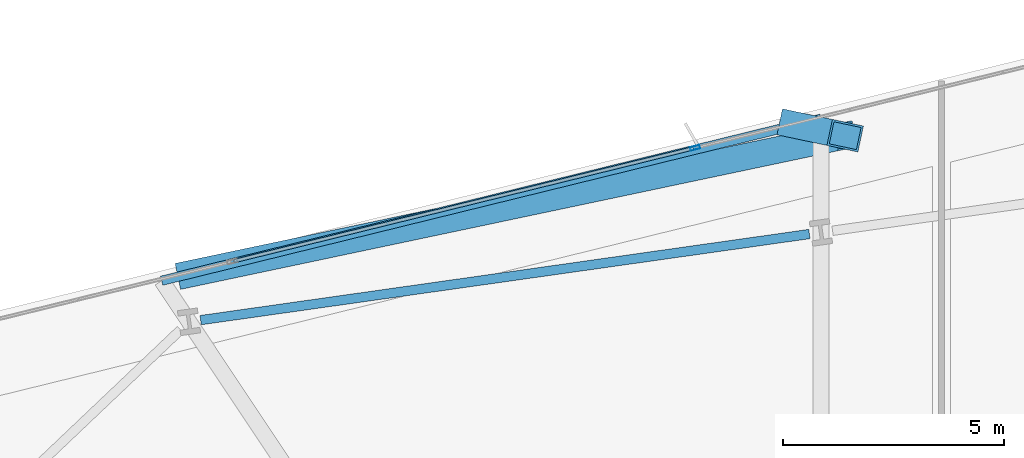
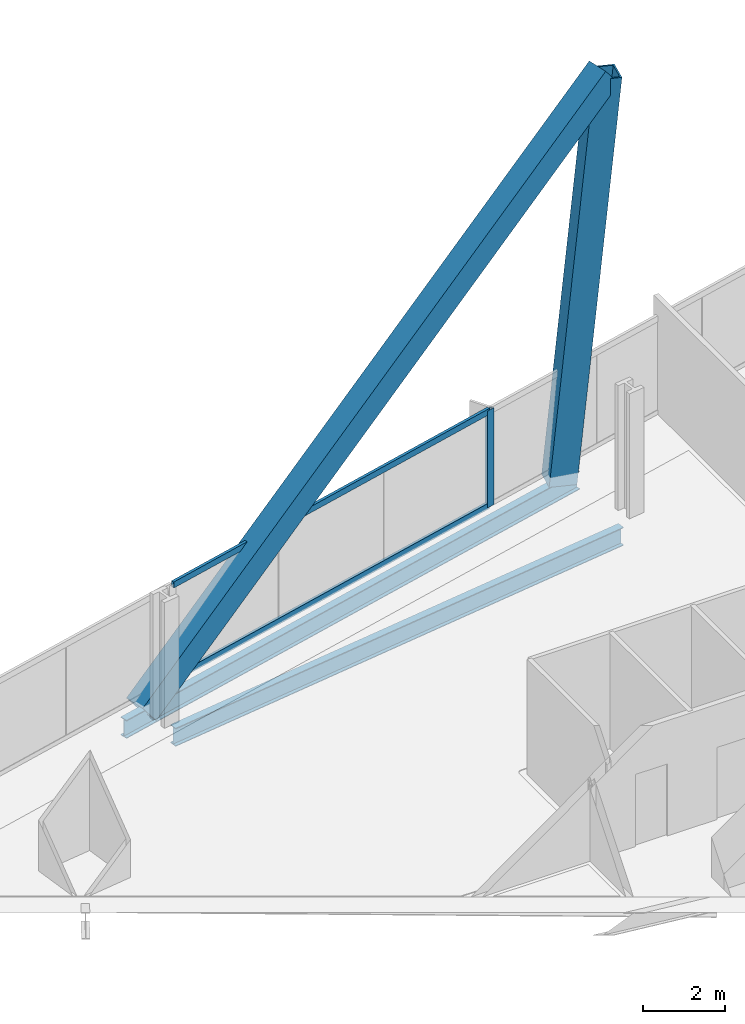
# One storey, part 17 of 32: 5 members, 2 beams, 1 element without a shape of its own.
"""IFC4 building model written with IfcOpenShell, lengths in metres."""

from ifc_helpers import new_model, si_unit, direction, frame, origin, origin_2d, place, context, subcontext, project, spatial, hollow_rectangle, i_section, extrude, material, material_profile, profile_set, type_object, element, aggregate, save


model = new_model("IFC4")

# Units and contexts
model_context = context("Model", 3, precision=1e-05, world=origin(), true_north=direction((0.0, 1.0)))
body_context = subcontext(model_context, "Body", "Model", "MODEL_VIEW")
ifc_project = project(units=[si_unit("LENGTHUNIT", "METRE"), si_unit("AREAUNIT", "SQUARE_METRE"), si_unit("VOLUMEUNIT", "CUBIC_METRE"), si_unit("PLANEANGLEUNIT", "RADIAN"), si_unit("MASSUNIT", "GRAM", prefix="KILO")], contexts=[model_context])

# Site, building, storey
site_placement = place(None, origin())
site = spatial("IfcSite", under=ifc_project, at=site_placement, CompositionType="ELEMENT")
building_placement = place(site_placement, origin())
building = spatial("IfcBuilding", under=site, at=building_placement, Name="Haldenkirk Collegiate Tower", CompositionType="ELEMENT")
storey_placement = place(building_placement, frame((0.0, 0.0, 73.949951171875)))
storey = spatial("IfcBuildingStorey", under=building, at=storey_placement, Name="L17", CompositionType="ELEMENT", Elevation=73.949951171875)

# Beams
ifc_material_1 = material(Name="Steel ASTM A992 Grade 50", Category="steel")
ifc_material_profile_1 = material_profile(ifc_material_1, i_section(OverallWidth=0.2119140625, OverallDepth=0.5439453125, WebThickness=0.01318359375, FlangeThickness=0.021240234375, at=origin_2d()), Name="W21X83")
ifc_profile_set_1 = profile_set([ifc_material_profile_1], Name="Steel ASTM A992 Grade 50")
beam_type = type_object("IfcBeamType", Name="BM-SPANDREL-W21X83", PredefinedType="SPANDREL", material=ifc_profile_set_1)
beam_1_placement = place(storey_placement, frame((32.51025390625, 48.785888671875, -0.58203125), z_axis=(-0.990146197746, -0.14003752029, 0.0), x_axis=(0.14003752029, -0.990146197746, 0.0)))
element("IfcBeam", 1, at=beam_1_placement, inside=storey, type_object=beam_type, Name="L17 perimeter spandrel beam 11", PredefinedType="SPANDREL", context=body_context, shape_type="SweptSolid", body=[
    extrude(i_section(OverallWidth=0.2119140625, OverallDepth=0.5439453125, WebThickness=0.01318359375, FlangeThickness=0.021240234375, at=origin_2d()), origin(), (0.0, 0.0, 1.0), 13.906982421875),
])
beam_2_placement = place(storey_placement, frame((32.772216796875, 51.39306640625, -0.58203125), z_axis=(-0.971133126921, -0.238538151657, 0.0), x_axis=(0.238538151657, -0.971133126921, 0.0)))
element("IfcBeam", 2, at=beam_2_placement, inside=storey, type_object=beam_type, Name="L17 outer facade edge beam 3", PredefinedType="SPANDREL", context=body_context, shape_type="SweptSolid", body=[
    extrude(i_section(OverallWidth=0.2119140625, OverallDepth=0.5439453125, WebThickness=0.01318359375, FlangeThickness=0.021240234375, at=origin_2d()), origin(), (0.0, 0.0, 1.0), 15.35546875),
])

# Curtain wall, members
ifc_material_2 = material(Name="Anodised architectural bronze aluminium", Category="aluminium")
curtain_wall_type = type_object("IfcCurtainWallType", Name="CW-SYS1-CONVEX-LOW", PredefinedType="USERDEFINED", material=ifc_material_2)
curtain_wall_placement = place(storey_placement, origin())
curtain_wall = element("IfcCurtainWall", 3, at=curtain_wall_placement, inside=storey, type_object=curtain_wall_type, Name="L17 Lower tower convex bronze-framed unitised curtain wall", ObjectType="UNITISED CURTAIN WALL", PredefinedType="USERDEFINED")
ifc_material_profile_2 = material_profile(ifc_material_2, hollow_rectangle(XDim=0.080078125, YDim=0.219970703125, WallThickness=0.0048828125, at=origin_2d()), Name="CW-MUL-1A")
ifc_profile_set_2 = profile_set([ifc_material_profile_2], Name="Anodised architectural bronze aluminium")
member_type_1 = type_object("IfcMemberType", Name="CW-MUL-1A", PredefinedType="MULLION", material=ifc_profile_set_2)
member_1_placement = place(storey_placement, frame((29.924560546875, 50.73486328125, 0.0), z_axis=(0.0, 0.0, 1.0), x_axis=(-0.238533564784, 0.971134253577, 0.0)))
member_1 = element("IfcMember", 4, at=member_1_placement, type_object=member_type_1, Name="CW-1A mullion 3", PredefinedType="MULLION", context=body_context, shape_type="SweptSolid", body=[
    extrude(hollow_rectangle(XDim=0.080078125, YDim=0.219970703125, WallThickness=0.0048828125, at=origin_2d()), origin(), (0.0, 0.0, 1.0), 2.89111328125),
])
ifc_material_profile_3 = material_profile(ifc_material_2, hollow_rectangle(XDim=0.080078125, YDim=0.179931640625, WallThickness=0.0048828125, at=origin_2d()), Name="CW-TRN-1A")
ifc_profile_set_3 = profile_set([ifc_material_profile_3], Name="Anodised architectural bronze aluminium")
member_type_2 = type_object("IfcMemberType", Name="CW-TRN-1A", PredefinedType="USERDEFINED", material=ifc_profile_set_3)
member_2_placement = place(storey_placement, frame((19.49951171875, 48.174072265625, 0.0400390625), z_axis=(0.971130670363, 0.238548152539, 0.0), x_axis=(-0.238548152539, 0.971130670363, 0.0)))
member_2 = element("IfcMember", 5, at=member_2_placement, type_object=member_type_2, Name="CW-1A transom 2.1", ObjectType="TRANSOM", PredefinedType="USERDEFINED", context=body_context, shape_type="SweptSolid", body=[
    extrude(hollow_rectangle(XDim=0.080078125, YDim=0.179931640625, WallThickness=0.0048828125, at=origin_2d()), origin(), (0.0, 0.0, 1.0), 10.695068359375),
])
member_3_placement = place(storey_placement, frame((19.49951171875, 48.174072265625, 2.85107421875), z_axis=(0.971130670363, 0.238548152539, 0.0), x_axis=(-0.238548152539, 0.971130670363, 0.0)))
member_3 = element("IfcMember", 6, at=member_3_placement, type_object=member_type_2, Name="CW-1A transom 2.2", ObjectType="TRANSOM", PredefinedType="USERDEFINED", context=body_context, shape_type="SweptSolid", body=[
    extrude(hollow_rectangle(XDim=0.080078125, YDim=0.179931640625, WallThickness=0.0048828125, at=origin_2d()), origin(), (0.0, 0.0, 1.0), 10.695068359375),
])
aggregate(curtain_wall, [member_1, member_2, member_3])

# Members
ifc_material_3 = material(Name="Steel ASTM A572 Grade 50", Category="steel")
ifc_material_profile_4 = material_profile(ifc_material_3, hollow_rectangle(XDim=0.60009765625, YDim=0.719970703125, WallThickness=0.044921875, at=origin_2d()), Name="BOX720X600X45")
ifc_profile_set_4 = profile_set([ifc_material_profile_4], Name="Steel ASTM A572 Grade 50")
member_type_3 = type_object("IfcMemberType", Name="MBR-MEGABRACE-BOX720X600X45", PredefinedType="BRACE", material=ifc_profile_set_4)
member_4_placement = place(storey_placement, frame((32.189453125, 51.25, -0.320068359375), z_axis=(0.09454329953, -0.020072583896, 0.995318369111), x_axis=(0.207681875199, 0.978196421336, 0.0)))
element("IfcMember", 7, at=member_4_placement, inside=storey, type_object=member_type_3, Name="Perimeter Mega Brace Z1 L17-L19 NL", PredefinedType="BRACE", context=body_context, shape_type="SweptSolid", body=[
    extrude(hollow_rectangle(XDim=0.60009765625, YDim=0.719970703125, WallThickness=0.044921875, at=origin_2d()), origin(), (0.0, 0.0, 1.0), 11.9560546875),
])
member_5_placement = place(storey_placement, frame((18.442626953125, 47.873291015625, -0.320068359375), z_axis=(0.770535739148, 0.162460297956, 0.616345135686), x_axis=(-0.206305041331, 0.978487725994, 0.0)))
element("IfcMember", 8, at=member_5_placement, inside=storey, type_object=member_type_3, Name="Perimeter Mega Brace Z1 L17-L19 NR", PredefinedType="BRACE", context=body_context, shape_type="SweptSolid", body=[
    extrude(hollow_rectangle(XDim=0.60009765625, YDim=0.719970703125, WallThickness=0.044921875, at=origin_2d()), origin(), (0.0, 0.0, 1.0), 19.3076171875),
])

save(model, "model.ifc")
